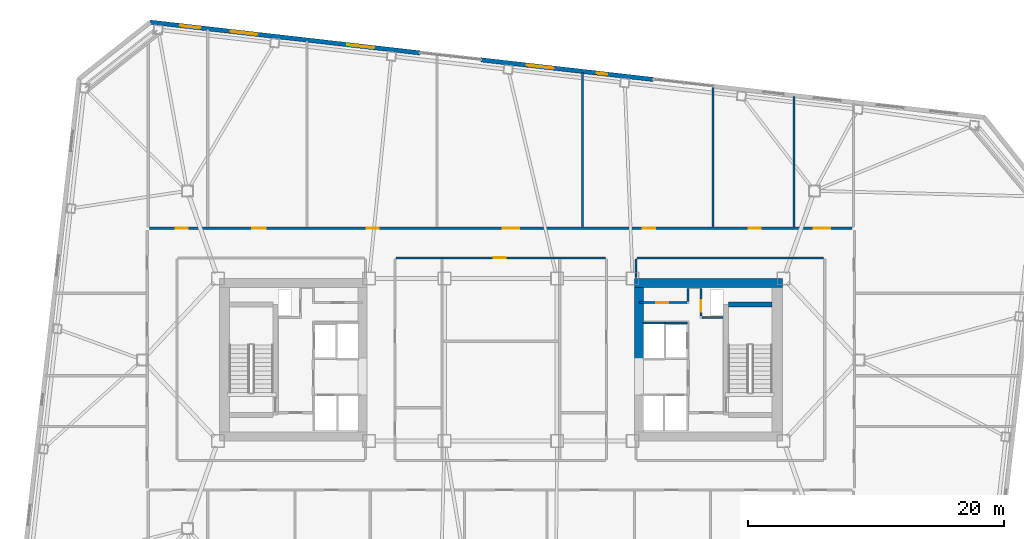
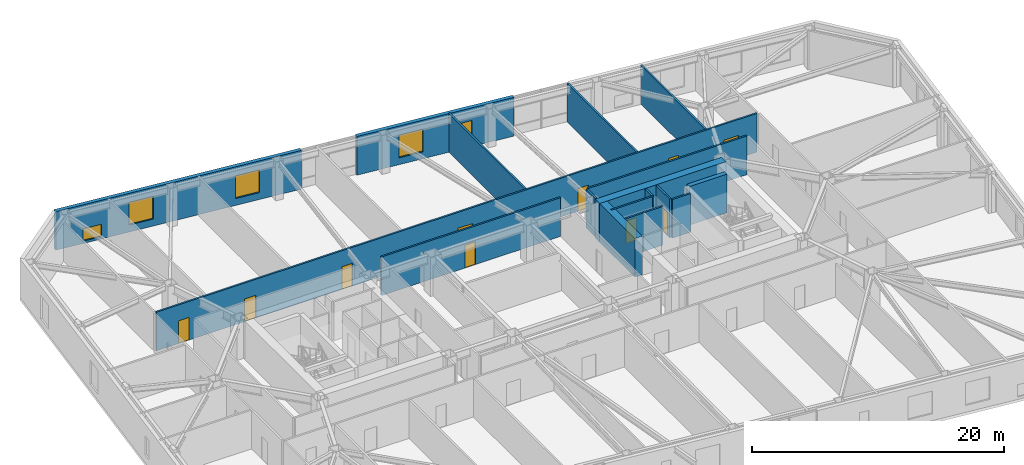
# One storey, part 14 of 20: 18 walls, 10 doors, 5 windows, 15 openings.
"""IFC4 building model written with IfcOpenShell, lengths in metres."""

from ifc_helpers import new_model, si_unit, direction, frame, frame_2d, origin, place, context, subcontext, project, spatial, rectangle, extrude, material, layer, layer_set, type_object, element, fill, save


model = new_model("IFC4")

# Units and contexts
model_context = context("Model", 3, precision=1e-05, world=origin(), true_north=direction((0.0, 1.0)))
body_context = subcontext(model_context, "Body", "Model", "MODEL_VIEW")
ifc_project = project(units=[si_unit("LENGTHUNIT", "METRE"), si_unit("AREAUNIT", "SQUARE_METRE"), si_unit("VOLUMEUNIT", "CUBIC_METRE"), si_unit("PLANEANGLEUNIT", "RADIAN"), si_unit("MASSUNIT", "GRAM", prefix="KILO")], contexts=[model_context])

# Site, building, storey
site_placement = place(None, origin())
site = spatial("IfcSite", under=ifc_project, at=site_placement, CompositionType="ELEMENT")
building_placement = place(site_placement, origin())
building = spatial("IfcBuilding", under=site, at=building_placement, Name="Tavrogorsk Clinical Tower", CompositionType="ELEMENT")
storey_placement = place(building_placement, frame((0.0, 0.0, 105.39990234375)))
storey = spatial("IfcBuildingStorey", under=building, at=storey_placement, Name="L23", CompositionType="ELEMENT", Elevation=105.39990234375)

# Wall, opening, door
ifc_material_1 = material(Name="Lightweight concrete blockwork B15", Category="masonry")
ifc_layer_1 = layer(ifc_material_1, 0.159912109375)
ifc_layer_set_1 = layer_set([ifc_layer_1], Name="Lightweight concrete blockwork B15")
wall_type_1 = type_object("IfcWallType", Name="PartitionWall_160", PredefinedType="PARTITIONING", material=ifc_layer_set_1)
wall_1_placement = place(storey_placement, frame((10.800048828125, 4.4599609375, 0.0), z_axis=(0.0, 0.0, 1.0), x_axis=(1.0, 0.0, 0.0)))
wall_1 = element("IfcWall", 1, at=wall_1_placement, inside=storey, type_object=wall_type_1, Name="L23 Core East Pneumatic Dispatch South Wall", PredefinedType="PARTITIONING", context=body_context, shape_type="SweptSolid", body=[
    extrude(rectangle(XDim=3.7548828125, YDim=0.159912109375, at=frame_2d((1.87744140625, 0.0))), origin(), (0.0, 0.0, 1.0), 3.739990234375),
])
opening_1_placement = place(wall_1_placement, frame((1.35009765625, 0.0, 0.0)))
opening_1 = element("IfcOpeningElement", 2, at=opening_1_placement, cuts=wall_1, Name="Opening ID-02", PredefinedType="OPENING", context=body_context, shape_type="SweptSolid", body=[
    extrude(rectangle(XDim=0.949951171875, YDim=2.199951171875, at=frame_2d((0.47509765625, 1.10009765625))), frame((0.0, 0.08984375, 0.0), z_axis=(0.0, -1.0, 0.0), x_axis=(1.0, 0.0, 0.0)), (0.0, 0.0, 1.0), 0.179931640625),
])
ifc_material_2 = material(Name="Laminated timber leaf on aluminium frame", Category="wood")
door_type_1 = type_object("IfcDoorType", Name="InteriorDoor_ID02_950", OperationType="NOTDEFINED", PredefinedType="DOOR", material=ifc_material_2)
door_1_placement = place(opening_1_placement, origin())
door_1 = element("IfcDoor", 3, at=door_1_placement, inside=storey, type_object=door_type_1, Name="L23 Core East Pneumatic Dispatch Door", OperationType="SINGLE_SWING_LEFT", OverallHeight=2.199951171875, OverallWidth=0.949951171875, PredefinedType="DOOR", context=body_context, shape_type="SweptSolid", body=[
    extrude(rectangle(XDim=0.949951171875, YDim=2.199951171875, at=frame_2d((0.47509765625, 1.10009765625))), frame((0.0, 0.02490234375, 0.0), z_axis=(0.0, -1.0, 0.0), x_axis=(1.0, 0.0, 0.0)), (0.0, 0.0, 1.0), 0.050048828125),
])
fill(opening_1, door_1)

# Wall
wall_2_placement = place(storey_placement, frame((14.639892578125, 4.544921875, 0.0), z_axis=(0.0, 0.0, 1.0), x_axis=(0.0, 1.0, 0.0)))
element("IfcWall", 4, at=wall_2_placement, inside=storey, type_object=wall_type_1, Name="L23 Core East Pneumatic Dispatch East Wall", PredefinedType="PARTITIONING", context=body_context, shape_type="SweptSolid", body=[
    extrude(rectangle(XDim=1.01513671875, YDim=0.159912109375, at=frame_2d((0.507568359375, 0.0))), origin(), (0.0, 0.0, 1.0), 3.739990234375),
])

# Wall, openings, doors
wall_3_placement = place(storey_placement, frame((-27.465087890625, 10.280029296875, 0.0), z_axis=(0.0, 0.0, 1.0), x_axis=(1.0, 0.0, 0.0)))
wall_3 = element("IfcWall", 5, at=wall_3_placement, inside=storey, type_object=wall_type_1, Name="L23 Corridor Partition 02", PredefinedType="PARTITIONING", context=body_context, shape_type="SweptSolid", body=[
    extrude(rectangle(XDim=54.93017578125, YDim=0.159912109375, at=frame_2d((27.465087890625, 0.0))), origin(), (0.0, 0.0, 1.0), 3.739990234375),
])
opening_2_placement = place(wall_3_placement, frame((2.044189453125, 0.0, 0.0)))
opening_2 = element("IfcOpeningElement", 6, at=opening_2_placement, cuts=wall_3, Name="Opening ID-02", PredefinedType="OPENING", context=body_context, shape_type="SweptSolid", body=[
    extrude(rectangle(XDim=0.949951171875, YDim=2.199951171875, at=frame_2d((0.47509765625, 1.10009765625))), frame((0.0, 0.08984375, 0.0), z_axis=(0.0, -1.0, 0.0), x_axis=(1.0, 0.0, 0.0)), (0.0, 0.0, 1.0), 0.179931640625),
])
opening_3_placement = place(wall_3_placement, frame((8.044921875, 0.0, 0.0)))
opening_3 = element("IfcOpeningElement", 7, at=opening_3_placement, cuts=wall_3, Name="Opening ID-04", PredefinedType="OPENING", context=body_context, shape_type="SweptSolid", body=[
    extrude(rectangle(XDim=1.050048828125, YDim=2.199951171875, at=frame_2d((0.52490234375, 1.10009765625))), frame((0.0, 0.08984375, 0.0), z_axis=(0.0, -1.0, 0.0), x_axis=(1.0, 0.0, 0.0)), (0.0, 0.0, 1.0), 0.179931640625),
])
opening_4_placement = place(wall_3_placement, frame((16.9951171875, 0.0, 0.0)))
opening_4 = element("IfcOpeningElement", 8, at=opening_4_placement, cuts=wall_3, Name="Opening ID-02", PredefinedType="OPENING", context=body_context, shape_type="SweptSolid", body=[
    extrude(rectangle(XDim=0.949951171875, YDim=2.199951171875, at=frame_2d((0.47509765625, 1.10009765625))), frame((0.0, 0.08984375, 0.0), z_axis=(0.0, -1.0, 0.0), x_axis=(1.0, 0.0, 0.0)), (0.0, 0.0, 1.0), 0.179931640625),
])
opening_5_placement = place(wall_3_placement, frame((27.60009765625, 0.0, 0.0)))
opening_5 = element("IfcOpeningElement", 9, at=opening_5_placement, cuts=wall_3, Name="Opening ID-01", PredefinedType="OPENING", context=body_context, shape_type="SweptSolid", body=[
    extrude(rectangle(XDim=1.300048828125, YDim=2.199951171875, at=frame_2d((0.64990234375, 1.10009765625))), frame((0.0, 0.08984375, 0.0), z_axis=(0.0, -1.0, 0.0), x_axis=(1.0, 0.0, 0.0)), (0.0, 0.0, 1.0), 0.179931640625),
])
opening_6_placement = place(wall_3_placement, frame((38.574951171875, 0.0, 0.0)))
opening_6 = element("IfcOpeningElement", 10, at=opening_6_placement, cuts=wall_3, Name="Opening ID-02", PredefinedType="OPENING", context=body_context, shape_type="SweptSolid", body=[
    extrude(rectangle(XDim=0.949951171875, YDim=2.199951171875, at=frame_2d((0.47509765625, 1.10009765625))), frame((0.0, 0.08984375, 0.0), z_axis=(0.0, -1.0, 0.0), x_axis=(1.0, 0.0, 0.0)), (0.0, 0.0, 1.0), 0.179931640625),
])
opening_7_placement = place(wall_3_placement, frame((46.824951171875, 0.0, 0.0)))
opening_7 = element("IfcOpeningElement", 11, at=opening_7_placement, cuts=wall_3, Name="Opening ID-02", PredefinedType="OPENING", context=body_context, shape_type="SweptSolid", body=[
    extrude(rectangle(XDim=0.949951171875, YDim=2.199951171875, at=frame_2d((0.47509765625, 1.10009765625))), frame((0.0, 0.08984375, 0.0), z_axis=(0.0, -1.0, 0.0), x_axis=(1.0, 0.0, 0.0)), (0.0, 0.0, 1.0), 0.179931640625),
])
opening_8_placement = place(wall_3_placement, frame((51.930908203125, 0.0, 0.0)))
opening_8 = element("IfcOpeningElement", 12, at=opening_8_placement, cuts=wall_3, Name="Opening ID-01", PredefinedType="OPENING", context=body_context, shape_type="SweptSolid", body=[
    extrude(rectangle(XDim=1.300048828125, YDim=2.199951171875, at=frame_2d((0.64990234375, 1.10009765625))), frame((0.0, 0.08984375, 0.0), z_axis=(0.0, -1.0, 0.0), x_axis=(1.0, 0.0, 0.0)), (0.0, 0.0, 1.0), 0.179931640625),
])
ifc_material_3 = material(Name="Antibacterial HPL consultation door on aluminium frame", Category="aluminium")
door_type_2 = type_object("IfcDoorType", Name="ConsultDoor_ID04_1050", OperationType="NOTDEFINED", PredefinedType="DOOR", material=ifc_material_3)
door_2_placement = place(opening_3_placement, origin())
door_2 = element("IfcDoor", 13, at=door_2_placement, inside=storey, type_object=door_type_2, Name="L23 North Diagnostic Ultrasound Suite 02 Door", OperationType="SINGLE_SWING_RIGHT", OverallHeight=2.199951171875, OverallWidth=1.050048828125, PredefinedType="DOOR", context=body_context, shape_type="SweptSolid", body=[
    extrude(rectangle(XDim=1.050048828125, YDim=2.199951171875, at=frame_2d((0.52490234375, 1.10009765625))), frame((0.0, 0.02490234375, 0.0), z_axis=(0.0, -1.0, 0.0), x_axis=(1.0, 0.0, 0.0)), (0.0, 0.0, 1.0), 0.050048828125),
])
fill(opening_3, door_2)
door_3_placement = place(opening_2_placement, origin())
door_3 = element("IfcDoor", 14, at=door_3_placement, inside=storey, type_object=door_type_1, Name="L23 North Clinical Examination Suite 01 Door", OperationType="SINGLE_SWING_LEFT", OverallHeight=2.199951171875, OverallWidth=0.949951171875, PredefinedType="DOOR", context=body_context, shape_type="SweptSolid", body=[
    extrude(rectangle(XDim=0.949951171875, YDim=2.199951171875, at=frame_2d((0.47509765625, 1.10009765625))), frame((0.0, 0.02490234375, 0.0), z_axis=(0.0, -1.0, 0.0), x_axis=(1.0, 0.0, 0.0)), (0.0, 0.0, 1.0), 0.050048828125),
])
fill(opening_2, door_3)
door_4_placement = place(opening_4_placement, origin())
door_4 = element("IfcDoor", 15, at=door_4_placement, inside=storey, type_object=door_type_1, Name="L23 North Physiotherapy Rehab Studio 03 Door", OperationType="SINGLE_SWING_LEFT", OverallHeight=2.199951171875, OverallWidth=0.949951171875, PredefinedType="DOOR", context=body_context, shape_type="SweptSolid", body=[
    extrude(rectangle(XDim=0.949951171875, YDim=2.199951171875, at=frame_2d((0.47509765625, 1.10009765625))), frame((0.0, 0.02490234375, 0.0), z_axis=(0.0, -1.0, 0.0), x_axis=(1.0, 0.0, 0.0)), (0.0, 0.0, 1.0), 0.050048828125),
])
fill(opening_4, door_4)
door_5_placement = place(opening_6_placement, origin())
door_5 = element("IfcDoor", 16, at=door_5_placement, inside=storey, type_object=door_type_1, Name="L23 North Physician Consultation Office 05 Door", OperationType="SINGLE_SWING_LEFT", OverallHeight=2.199951171875, OverallWidth=0.949951171875, PredefinedType="DOOR", context=body_context, shape_type="SweptSolid", body=[
    extrude(rectangle(XDim=0.949951171875, YDim=2.199951171875, at=frame_2d((0.47509765625, 1.10009765625))), frame((0.0, 0.02490234375, 0.0), z_axis=(0.0, -1.0, 0.0), x_axis=(1.0, 0.0, 0.0)), (0.0, 0.0, 1.0), 0.050048828125),
])
fill(opening_6, door_5)
door_6_placement = place(opening_7_placement, origin())
door_6 = element("IfcDoor", 17, at=door_6_placement, inside=storey, type_object=door_type_1, Name="L23 North Patient & Family Quiet Lounge 06 Door", OperationType="SINGLE_SWING_RIGHT", OverallHeight=2.199951171875, OverallWidth=0.949951171875, PredefinedType="DOOR", context=body_context, shape_type="SweptSolid", body=[
    extrude(rectangle(XDim=0.949951171875, YDim=2.199951171875, at=frame_2d((0.47509765625, 1.10009765625))), frame((0.0, 0.02490234375, 0.0), z_axis=(0.0, -1.0, 0.0), x_axis=(1.0, 0.0, 0.0)), (0.0, 0.0, 1.0), 0.050048828125),
])
fill(opening_7, door_6)
ifc_material_4 = material(Name="Antibacterial HPL medical leaf on aluminium frame", Category="aluminium")
door_type_3 = type_object("IfcDoorType", Name="WardBedDoor_ID01_1300", OperationType="NOTDEFINED", PredefinedType="DOOR", material=ifc_material_4)
door_7_placement = place(opening_5_placement, origin())
door_7 = element("IfcDoor", 18, at=door_7_placement, inside=storey, type_object=door_type_3, Name="L23 North Step-Down Telemetry Ward 04 Door", OperationType="SINGLE_SWING_RIGHT", OverallHeight=2.199951171875, OverallWidth=1.300048828125, PredefinedType="DOOR", context=body_context, shape_type="SweptSolid", body=[
    extrude(rectangle(XDim=1.300048828125, YDim=2.199951171875, at=frame_2d((0.64990234375, 1.10009765625))), frame((0.0, 0.02490234375, 0.0), z_axis=(0.0, -1.0, 0.0), x_axis=(1.0, 0.0, 0.0)), (0.0, 0.0, 1.0), 0.050048828125),
])
fill(opening_5, door_7)
door_8_placement = place(opening_8_placement, origin())
door_8 = element("IfcDoor", 19, at=door_8_placement, inside=storey, type_object=door_type_3, Name="L23 North Acute Isolation Suite 07 Door", OperationType="SINGLE_SWING_LEFT", OverallHeight=2.199951171875, OverallWidth=1.300048828125, PredefinedType="DOOR", context=body_context, shape_type="SweptSolid", body=[
    extrude(rectangle(XDim=1.300048828125, YDim=2.199951171875, at=frame_2d((0.64990234375, 1.10009765625))), frame((0.0, 0.02490234375, 0.0), z_axis=(0.0, -1.0, 0.0), x_axis=(1.0, 0.0, 0.0)), (0.0, 0.0, 1.0), 0.050048828125),
])
fill(opening_8, door_8)

# Walls
wall_4_placement = place(storey_placement, frame((25.235107421875, 7.969970703125, 0.0), z_axis=(0.0, 0.0, 1.0), x_axis=(-1.0, 0.0, 0.0)))
element("IfcWall", 20, at=wall_4_placement, inside=storey, type_object=wall_type_1, Name="L23 Corridor Partition 05", PredefinedType="PARTITIONING", context=body_context, shape_type="SweptSolid", body=[
    extrude(rectangle(XDim=14.570068359375, YDim=0.159912109375, at=frame_2d((7.28515625, 0.0))), origin(), (0.0, 0.0, 1.0), 3.739990234375),
])
wall_5_placement = place(storey_placement, frame((10.580078125, 7.885009765625, 0.0), z_axis=(0.0, 0.0, 1.0), x_axis=(0.0, -1.0, 0.0)))
element("IfcWall", 21, at=wall_5_placement, inside=storey, type_object=wall_type_1, Name="L23 Corridor Partition 06", PredefinedType="PARTITIONING", context=body_context, shape_type="SweptSolid", body=[
    extrude(rectangle(XDim=1.465087890625, YDim=0.159912109375, at=frame_2d((0.732421875, 0.0))), origin(), (0.0, 0.0, 1.0), 3.739990234375),
])

# Wall, opening, door
wall_6_placement = place(storey_placement, frame((8.18505859375, 7.969970703125, 0.0), z_axis=(0.0, 0.0, 1.0), x_axis=(-1.0, 0.0, 0.0)))
wall_6 = element("IfcWall", 22, at=wall_6_placement, inside=storey, type_object=wall_type_1, Name="L23 Corridor Partition 11", PredefinedType="PARTITIONING", context=body_context, shape_type="SweptSolid", body=[
    extrude(rectangle(XDim=16.3701171875, YDim=0.159912109375, at=frame_2d((8.18505859375, 0.0))), origin(), (0.0, 0.0, 1.0), 3.739990234375),
])
opening_9_placement = place(wall_6_placement, frame((7.794921875, 0.0, 0.0)))
opening_9 = element("IfcOpeningElement", 23, at=opening_9_placement, cuts=wall_6, Name="Opening ID-02", PredefinedType="OPENING", context=body_context, shape_type="SweptSolid", body=[
    extrude(rectangle(XDim=0.949951171875, YDim=2.199951171875, at=frame_2d((0.47509765625, 1.10009765625))), frame((0.0, 0.08984375, 0.0), z_axis=(0.0, -1.0, 0.0), x_axis=(1.0, 0.0, 0.0)), (0.0, 0.0, 1.0), 0.179931640625),
])
door_9_placement = place(opening_9_placement, origin())
door_9 = element("IfcDoor", 24, at=door_9_placement, inside=storey, type_object=door_type_1, Name="L23 Nurses' Station & Triage Hub Door", OperationType="SINGLE_SWING_RIGHT", OverallHeight=2.199951171875, OverallWidth=0.949951171875, PredefinedType="DOOR", context=body_context, shape_type="SweptSolid", body=[
    extrude(rectangle(XDim=0.949951171875, YDim=2.199951171875, at=frame_2d((0.47509765625, 1.10009765625))), frame((0.0, 0.02490234375, 0.0), z_axis=(0.0, -1.0, 0.0), x_axis=(1.0, 0.0, 0.0)), (0.0, 0.0, 1.0), 0.050048828125),
])
fill(opening_9, door_9)

# Walls
wall_7_placement = place(storey_placement, frame((6.39990234375, 10.364990234375, 0.0), z_axis=(0.0, 0.0, 1.0), x_axis=(0.0, 1.0, 0.0)))
element("IfcWall", 25, at=wall_7_placement, inside=storey, type_object=wall_type_1, Name="L23 North Room Partition 4", PredefinedType="PARTITIONING", context=body_context, shape_type="SweptSolid", body=[
    extrude(rectangle(XDim=12.09814453125, YDim=0.159912109375, at=frame_2d((6.049072265625, 0.0))), origin(), (0.0, 0.0, 1.0), 3.739990234375),
])
wall_8_placement = place(storey_placement, frame((16.60009765625, 10.364990234375, 0.0), z_axis=(0.0, 0.0, 1.0), x_axis=(0.0, 1.0, 0.0)))
element("IfcWall", 26, at=wall_8_placement, inside=storey, type_object=wall_type_1, Name="L23 North Room Partition 5", PredefinedType="PARTITIONING", context=body_context, shape_type="SweptSolid", body=[
    extrude(rectangle(XDim=10.93603515625, YDim=0.159912109375, at=frame_2d((5.468017578125, 0.0))), origin(), (0.0, 0.0, 1.0), 3.739990234375),
])
wall_9_placement = place(storey_placement, frame((22.89990234375, 10.364990234375, 0.0), z_axis=(0.0, 0.0, 1.0), x_axis=(0.0, 1.0, 0.0)))
element("IfcWall", 27, at=wall_9_placement, inside=storey, type_object=wall_type_1, Name="L23 North Room Partition 6", PredefinedType="PARTITIONING", context=body_context, shape_type="SweptSolid", body=[
    extrude(rectangle(XDim=10.21826171875, YDim=0.159912109375, at=frame_2d((5.109130859375, 0.0))), origin(), (0.0, 0.0, 1.0), 3.739990234375),
])

# Wall, openings, windows
ifc_material_5 = material(Name="Precast concrete B45 with limestone cladding", Category="masonry")
ifc_layer_2 = layer(ifc_material_5, 0.340087890625)
ifc_layer_set_2 = layer_set([ifc_layer_2], Name="Precast concrete B45 with limestone cladding")
wall_type_2 = type_object("IfcWallType", Name="PrecastLimestoneWall_340", PredefinedType="STANDARD", material=ifc_layer_set_2)
wall_10_placement = place(storey_placement, frame((11.921875, 21.904541015625, 0.0), z_axis=(0.0, 0.0, 1.0), x_axis=(-0.993571685551, 0.11320470693, 0.0)))
wall_10 = element("IfcWall", 28, at=wall_10_placement, inside=storey, type_object=wall_type_2, Name="L23 N Limestone Facade Wall 2", PredefinedType="STANDARD", context=body_context, shape_type="SweptSolid", body=[
    extrude(rectangle(XDim=13.554443359375, YDim=0.340087890625, at=frame_2d((6.77734375, 0.0))), origin(), (0.0, 0.0, 1.0), 3.739990234375),
])
opening_10_placement = place(wall_10_placement, frame((7.837890625, 0.0, 0.669921875)))
opening_10 = element("IfcOpeningElement", 29, at=opening_10_placement, cuts=wall_10, Name="Opening WN-03", PredefinedType="OPENING", context=body_context, shape_type="SweptSolid", body=[
    extrude(rectangle(XDim=2.10009765625, YDim=2.199951171875, at=frame_2d((1.050048828125, 1.10009765625))), frame((0.0, 0.179931640625, 0.0), z_axis=(0.0, -1.0, 0.0), x_axis=(1.0, 0.0, 0.0)), (0.0, 0.0, 1.0), 0.360107421875),
])
opening_11_placement = place(wall_10_placement, frame((3.616455078125, 0.0, 0.669921875)))
opening_11 = element("IfcOpeningElement", 30, at=opening_11_placement, cuts=wall_10, Name="Opening WN-06", PredefinedType="OPENING", context=body_context, shape_type="SweptSolid", body=[
    extrude(rectangle(XDim=0.85009765625, YDim=1.85009765625, at=frame_2d((0.425048828125, 0.925048828125))), frame((0.0, 0.179931640625, 0.0), z_axis=(0.0, -1.0, 0.0), x_axis=(1.0, 0.0, 0.0)), (0.0, 0.0, 1.0), 0.360107421875),
])
ifc_material_6 = material(Name="Thermally broken aluminium frame and triple IGU", Category="aluminium")
window_type_1 = type_object("IfcWindowType", Name="MullionSubWin_850x1850", PartitioningType="SINGLE_PANEL", PredefinedType="WINDOW", material=ifc_material_6)
window_1_placement = place(opening_11_placement, origin())
window_1 = element("IfcWindow", 31, at=window_1_placement, inside=storey, type_object=window_type_1, Name="L23 N Mullion Split Window 06A", OverallHeight=1.85009765625, OverallWidth=0.85009765625, PartitioningType="SINGLE_PANEL", PredefinedType="WINDOW", context=body_context, shape_type="SweptSolid", body=[
    extrude(rectangle(XDim=0.85009765625, YDim=1.85009765625, at=frame_2d((0.425048828125, 0.925048828125))), frame((0.0, 0.030029296875, 0.0), z_axis=(0.0, -1.0, 0.0), x_axis=(1.0, 0.0, 0.0)), (0.0, 0.0, 1.0), 0.06005859375),
])
fill(opening_11, window_1)
ifc_material_7 = material(Name="Thermally broken aluminium frame and triple IGU", Category="aluminium")
window_type_2 = type_object("IfcWindowType", Name="PatientTwinWin_2100x2200", PartitioningType="DOUBLE_PANEL_VERTICAL", PredefinedType="WINDOW", material=ifc_material_7)
window_2_placement = place(opening_10_placement, origin())
window_2 = element("IfcWindow", 32, at=window_2_placement, inside=storey, type_object=window_type_2, Name="L23 N Chicago Window 05", OverallHeight=2.199951171875, OverallWidth=2.10009765625, PartitioningType="SINGLE_PANEL", PredefinedType="WINDOW", context=body_context, shape_type="SweptSolid", body=[
    extrude(rectangle(XDim=2.10009765625, YDim=2.199951171875, at=frame_2d((1.050048828125, 1.10009765625))), frame((0.0, 0.030029296875, 0.0), z_axis=(0.0, -1.0, 0.0), x_axis=(1.0, 0.0, 0.0)), (0.0, 0.0, 1.0), 0.06005859375),
])
fill(opening_10, window_2)

wall_11_placement = place(storey_placement, frame((-6.314453125, 23.982177734375, 0.0), z_axis=(0.0, 0.0, 1.0), x_axis=(-0.993571362037, 0.113207546299, 0.0)))
wall_11 = element("IfcWall", 33, at=wall_11_placement, inside=storey, type_object=wall_type_2, Name="L23 N Limestone Facade Wall 3", PredefinedType="STANDARD", context=body_context, shape_type="SweptSolid", body=[
    extrude(rectangle(XDim=21.222900390625, YDim=0.340087890625, at=frame_2d((10.611328125, 0.0))), origin(), (0.0, 0.0, 1.0), 3.739990234375),
])
opening_12_placement = place(wall_11_placement, frame((17.264892578125, 0.0, 0.219970703125)))
opening_12 = element("IfcOpeningElement", 34, at=opening_12_placement, cuts=wall_11, Name="Opening WN-09", PredefinedType="OPENING", context=body_context, shape_type="SweptSolid", body=[
    extrude(rectangle(XDim=1.60009765625, YDim=1.199951171875, at=frame_2d((0.800048828125, 0.60009765625))), frame((0.0, 0.179931640625, 0.0), z_axis=(0.0, -1.0, 0.0), x_axis=(1.0, 0.0, 0.0)), (0.0, 0.0, 1.0), 0.360107421875),
])
opening_13_placement = place(wall_11_placement, frame((12.793701171875, 0.0, 0.669921875)))
opening_13 = element("IfcOpeningElement", 35, at=opening_13_placement, cuts=wall_11, Name="Opening WN-03", PredefinedType="OPENING", context=body_context, shape_type="SweptSolid", body=[
    extrude(rectangle(XDim=2.10009765625, YDim=2.199951171875, at=frame_2d((1.050048828125, 1.10009765625))), frame((0.0, 0.179931640625, 0.0), z_axis=(0.0, -1.0, 0.0), x_axis=(1.0, 0.0, 0.0)), (0.0, 0.0, 1.0), 0.360107421875),
])
opening_14_placement = place(wall_11_placement, frame((3.616455078125, 0.0, 0.669921875)))
opening_14 = element("IfcOpeningElement", 36, at=opening_14_placement, cuts=wall_11, Name="Opening WN-03", PredefinedType="OPENING", context=body_context, shape_type="SweptSolid", body=[
    extrude(rectangle(XDim=2.10009765625, YDim=2.199951171875, at=frame_2d((1.050048828125, 1.10009765625))), frame((0.0, 0.179931640625, 0.0), z_axis=(0.0, -1.0, 0.0), x_axis=(1.0, 0.0, 0.0)), (0.0, 0.0, 1.0), 0.360107421875),
])
ifc_material_8 = material(Name="Thermally broken aluminium frame and triple IGU", Category="aluminium")
window_type_3 = type_object("IfcWindowType", Name="LowHeadTransWin_1600x1200", PartitioningType="DOUBLE_PANEL_VERTICAL", PredefinedType="WINDOW", material=ifc_material_8)
window_3_placement = place(opening_12_placement, origin())
window_3 = element("IfcWindow", 37, at=window_3_placement, inside=storey, type_object=window_type_3, Name="L23 N Chicago Window 01", OverallHeight=1.199951171875, OverallWidth=1.60009765625, PartitioningType="SINGLE_PANEL", PredefinedType="WINDOW", context=body_context, shape_type="SweptSolid", body=[
    extrude(rectangle(XDim=1.60009765625, YDim=1.199951171875, at=frame_2d((0.800048828125, 0.60009765625))), frame((0.0, 0.030029296875, 0.0), z_axis=(0.0, -1.0, 0.0), x_axis=(1.0, 0.0, 0.0)), (0.0, 0.0, 1.0), 0.06005859375),
])
fill(opening_12, window_3)
window_4_placement = place(opening_13_placement, origin())
window_4 = element("IfcWindow", 38, at=window_4_placement, inside=storey, type_object=window_type_2, Name="L23 N Chicago Window 02", OverallHeight=2.199951171875, OverallWidth=2.10009765625, PartitioningType="SINGLE_PANEL", PredefinedType="WINDOW", context=body_context, shape_type="SweptSolid", body=[
    extrude(rectangle(XDim=2.10009765625, YDim=2.199951171875, at=frame_2d((1.050048828125, 1.10009765625))), frame((0.0, 0.030029296875, 0.0), z_axis=(0.0, -1.0, 0.0), x_axis=(1.0, 0.0, 0.0)), (0.0, 0.0, 1.0), 0.06005859375),
])
fill(opening_13, window_4)
window_5_placement = place(opening_14_placement, origin())
window_5 = element("IfcWindow", 39, at=window_5_placement, inside=storey, type_object=window_type_2, Name="L23 N Chicago Window 04", OverallHeight=2.199951171875, OverallWidth=2.10009765625, PartitioningType="SINGLE_PANEL", PredefinedType="WINDOW", context=body_context, shape_type="SweptSolid", body=[
    extrude(rectangle(XDim=2.10009765625, YDim=2.199951171875, at=frame_2d((1.050048828125, 1.10009765625))), frame((0.0, 0.030029296875, 0.0), z_axis=(0.0, -1.0, 0.0), x_axis=(1.0, 0.0, 0.0)), (0.0, 0.0, 1.0), 0.06005859375),
])
fill(opening_14, window_5)

# Walls
ifc_material_9 = material(Name="Lightweight concrete blockwork B25", Category="masonry")
ifc_layer_3 = layer(ifc_material_9, 0.159912109375)
ifc_layer_set_3 = layer_set([ifc_layer_3], Name="Lightweight concrete blockwork B25")
wall_type_3 = type_object("IfcWallType", Name="ShaftWall_160", PredefinedType="PARTITIONING", material=ifc_layer_set_3)
wall_12_placement = place(storey_placement, frame((12.840087890625, 2.8798828125, 0.0), z_axis=(0.0, 0.0, 1.0), x_axis=(1.0, 0.0, 0.0)))
element("IfcWall", 40, at=wall_12_placement, inside=storey, type_object=wall_type_3, Name="L23 FFL-E Shaft North Wall", PredefinedType="PARTITIONING", context=body_context, shape_type="SweptSolid", body=[
    extrude(rectangle(XDim=1.760009765625, YDim=0.159912109375, at=frame_2d((0.8798828125, 0.0))), origin(), (0.0, 0.0, 1.0), 3.739990234375),
])
wall_13_placement = place(storey_placement, frame((11.10009765625, 2.860107421875, 0.0), z_axis=(0.0, 0.0, 1.0), x_axis=(1.0, 0.0, 0.0)))
element("IfcWall", 41, at=wall_13_placement, inside=storey, type_object=wall_type_3, Name="L23 LP-H2 High-Zone Lift Rear Wall", PredefinedType="PARTITIONING", context=body_context, shape_type="SweptSolid", body=[
    extrude(rectangle(XDim=1.719970703125, YDim=0.159912109375, at=frame_2d((0.85986328125, 0.0))), origin(), (0.0, 0.0, 1.0), 3.739990234375),
])

# Wall, opening, door
wall_14_placement = place(storey_placement, frame((15.639892578125, 3.405029296875, 0.0), z_axis=(0.0, 0.0, 1.0), x_axis=(0.0, 1.0, 0.0)))
wall_14 = element("IfcWall", 42, at=wall_14_placement, inside=storey, type_object=wall_type_3, Name="L23 Core East Riser West Wall", PredefinedType="PARTITIONING", context=body_context, shape_type="SweptSolid", body=[
    extrude(rectangle(XDim=2.155029296875, YDim=0.159912109375, at=frame_2d((1.07763671875, 0.0))), origin(), (0.0, 0.0, 1.0), 3.739990234375),
])
opening_15_placement = place(wall_14_placement, frame((0.35009765625, 0.0, 0.0)))
opening_15 = element("IfcOpeningElement", 43, at=opening_15_placement, cuts=wall_14, Name="Opening FD-02", PredefinedType="OPENING", context=body_context, shape_type="SweptSolid", body=[
    extrude(rectangle(XDim=0.89990234375, YDim=2.199951171875, at=frame_2d((0.449951171875, 1.10009765625))), frame((0.0, 0.08984375, 0.0), z_axis=(0.0, -1.0, 0.0), x_axis=(1.0, 0.0, 0.0)), (0.0, 0.0, 1.0), 0.179931640625),
])
ifc_material_10 = material(Name="Galvanised steel fire-rated door assembly", Category="steel")
door_type_4 = type_object("IfcDoorType", Name="FireDoor_FD02_900", OperationType="NOTDEFINED", PredefinedType="DOOR", material=ifc_material_10)
door_10_placement = place(opening_15_placement, origin())
door_10 = element("IfcDoor", 44, at=door_10_placement, inside=storey, type_object=door_type_4, Name="L23 Core East Electrical Riser Access Door", OperationType="SINGLE_SWING_LEFT", OverallHeight=2.199951171875, OverallWidth=0.89990234375, PredefinedType="DOOR", context=body_context, shape_type="SweptSolid", body=[
    extrude(rectangle(XDim=0.89990234375, YDim=2.199951171875, at=frame_2d((0.449951171875, 1.10009765625))), frame((0.0, 0.02490234375, 0.0), z_axis=(0.0, -1.0, 0.0), x_axis=(1.0, 0.0, 0.0)), (0.0, 0.0, 1.0), 0.050048828125),
])
fill(opening_15, door_10)

# Walls
wall_15_placement = place(storey_placement, frame((15.72509765625, 3.320068359375, 0.0), z_axis=(0.0, 0.0, 1.0), x_axis=(1.0, 0.0, 0.0)))
element("IfcWall", 45, at=wall_15_placement, inside=storey, type_object=wall_type_3, Name="L23 Core East Riser South Wall", PredefinedType="PARTITIONING", context=body_context, shape_type="SweptSolid", body=[
    extrude(rectangle(XDim=1.65478515625, YDim=0.159912109375, at=frame_2d((0.827392578125, 0.0))), origin(), (0.0, 0.0, 1.0), 3.739990234375),
])
ifc_material_11 = material(Name="Concrete B80", Category="concrete")
ifc_layer_4 = layer(ifc_material_11, 0.39990234375)
ifc_layer_set_4 = layer_set([ifc_layer_4], Name="Concrete B80")
wall_type_4 = type_object("IfcWallType", Name="ShearWall_400", PredefinedType="SHEAR", material=ifc_layer_set_4)
wall_16_placement = place(storey_placement, frame((17.800048828125, 4.324951171875, 0.0), z_axis=(0.0, 0.0, 1.0), x_axis=(1.0, 0.0, 0.0)))
element("IfcWall", 46, at=wall_16_placement, inside=storey, type_object=wall_type_4, Name="L23 Core East Stair Shaft North Shear Wall", PredefinedType="SHEAR", context=body_context, shape_type="SweptSolid", body=[
    extrude(rectangle(XDim=3.39990234375, YDim=0.39990234375, at=frame_2d((1.699951171875, 0.0))), origin(), (0.0, 0.0, 1.0), 3.739990234375),
])
ifc_material_12 = material(Name="Concrete B80", Category="concrete")
ifc_layer_5 = layer(ifc_material_12, 0.699951171875)
ifc_layer_set_5 = layer_set([ifc_layer_5], Name="Concrete B80")
wall_type_5 = type_object("IfcWallType", Name="ShearWall_700", PredefinedType="SHEAR", material=ifc_layer_set_5)
wall_17_placement = place(storey_placement, frame((10.449951171875, 6.0, 0.0), z_axis=(0.0, 0.0, 1.0), x_axis=(1.0, 0.0, 0.0)))
element("IfcWall", 47, at=wall_17_placement, inside=storey, type_object=wall_type_5, Name="L23 Core East North Shear Wall", PredefinedType="SHEAR", context=body_context, shape_type="SweptSolid", body=[
    extrude(rectangle(XDim=11.550048828125, YDim=0.699951171875, at=frame_2d((5.77490234375, 0.0))), origin(), (0.0, 0.0, 1.0), 3.739990234375),
])
wall_18_placement = place(storey_placement, frame((10.800048828125, 0.050048828125, 0.0), z_axis=(0.0, 0.0, 1.0), x_axis=(0.0, 1.0, 0.0)))
element("IfcWall", 48, at=wall_18_placement, inside=storey, type_object=wall_type_5, Name="L23 Core East Inner North Pier", PredefinedType="SHEAR", context=body_context, shape_type="SweptSolid", body=[
    extrude(rectangle(XDim=5.599853515625, YDim=0.699951171875, at=frame_2d((2.7998046875, 0.0))), origin(), (0.0, 0.0, 1.0), 3.739990234375),
])

save(model, "model.ifc")
